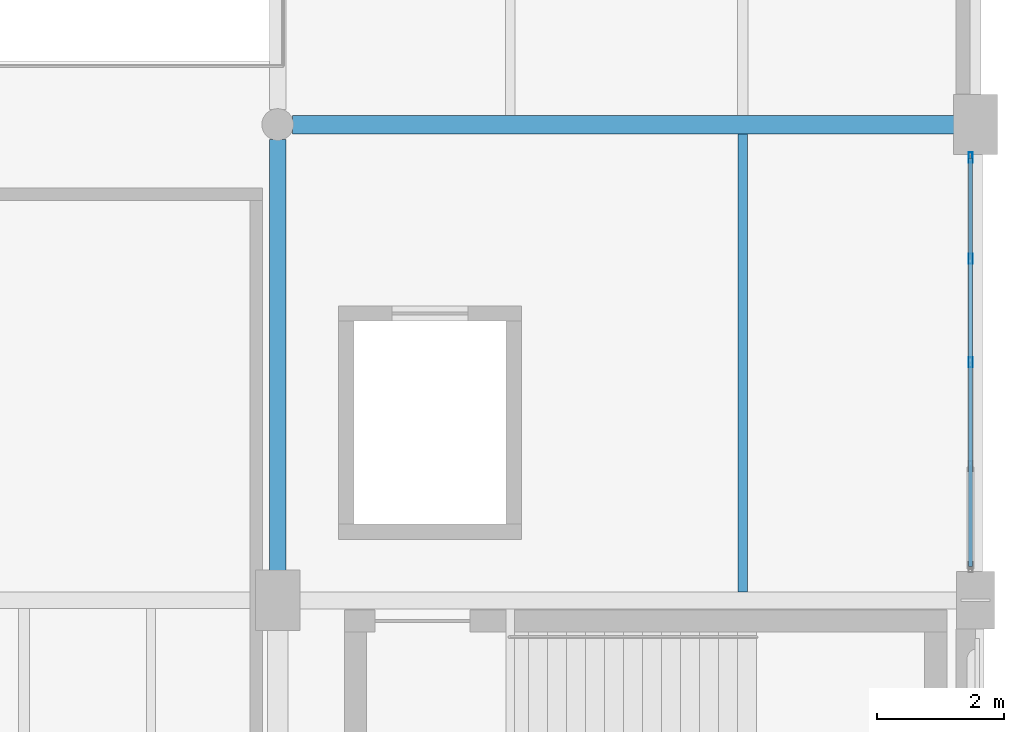
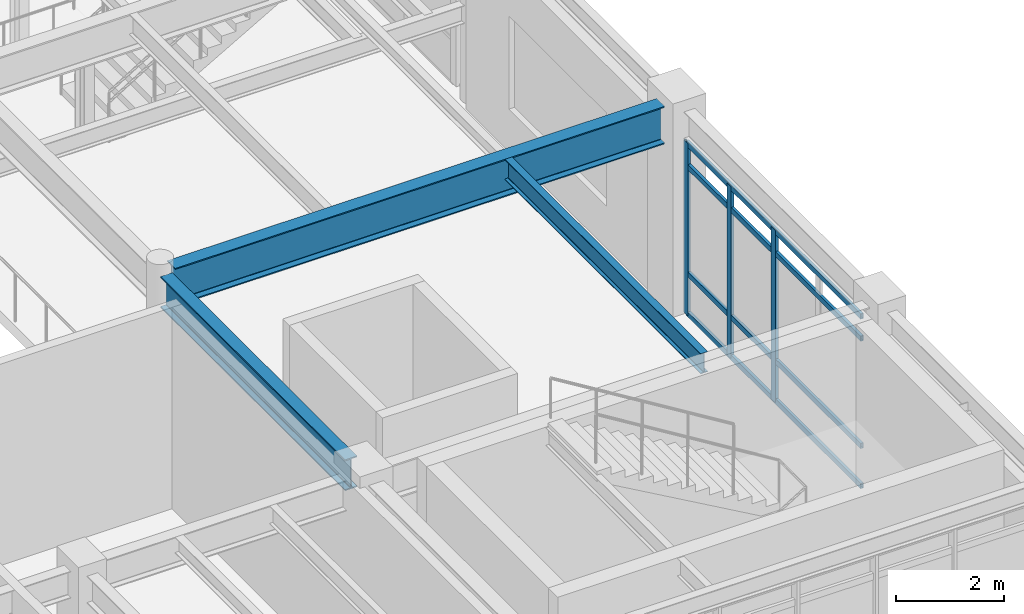
# One storey, part 118 of 200: 7 members, 3 beams, 1 element without a shape of its own.
"""IFC4 building model written with IfcOpenShell, lengths in metres."""

from ifc_helpers import new_model, si_unit, direction, frame, origin, origin_2d, place, context, subcontext, project, spatial, hollow_rectangle, i_section, extrude, material, material_profile, profile_set, type_object, element, aggregate, save


model = new_model("IFC4")

# Units and contexts
model_context = context("Model", 3, precision=1e-05, world=origin(), true_north=direction((0.0, 1.0)))
body_context = subcontext(model_context, "Body", "Model", "MODEL_VIEW")
ifc_project = project(units=[si_unit("LENGTHUNIT", "METRE"), si_unit("AREAUNIT", "SQUARE_METRE"), si_unit("VOLUMEUNIT", "CUBIC_METRE"), si_unit("PLANEANGLEUNIT", "RADIAN"), si_unit("MASSUNIT", "GRAM", prefix="KILO"), si_unit("THERMODYNAMICTEMPERATUREUNIT", "KELVIN"), si_unit("POWERUNIT", "WATT")], contexts=[model_context])

# Site, building, storey
site_placement = place(None, origin())
site = spatial("IfcSite", under=ifc_project, at=site_placement, CompositionType="ELEMENT")
building_placement = place(site_placement, origin())
building = spatial("IfcBuilding", under=site, at=building_placement, Name="Tepalcoro Natatorium and Aquatics Centre", CompositionType="ELEMENT")
storey_placement = place(building_placement, frame((0.0, 0.0, 5.39990234375)))
storey = spatial("IfcBuildingStorey", under=building, at=storey_placement, Name="L01", CompositionType="ELEMENT", Elevation=5.39990234375)

# Beams
ifc_material_1 = material(Name="Steel ASTM A992 Grade 50 (Fy 345 MPa)", Category="steel")
ifc_material_profile_1 = material_profile(ifc_material_1, i_section(OverallWidth=0.25390625, OverallDepth=0.700927734375, WebThickness=0.014892578125, FlangeThickness=0.028076171875, FilletRadius=0.013916015625, at=origin_2d()), Name="W27X129")
ifc_profile_set_1 = profile_set([ifc_material_profile_1], Name="Steel ASTM A992 Grade 50 (Fy 345 MPa)")
beam_type_1 = type_object("IfcBeamType", Name="BM_W27x129", PredefinedType="BEAM", material=ifc_profile_set_1)
beam_1_placement = place(storey_placement, frame((165.0, 13.4599609375, 4.194580078125), z_axis=(0.0, 1.0, 0.0), x_axis=(-1.0, 0.0, 0.0)))
element("IfcBeam", 1, at=beam_1_placement, inside=storey, type_object=beam_type_1, Name="V2 L01 Grid Girder Y", PredefinedType="BEAM", context=body_context, shape_type="SweptSolid", body=[
    extrude(i_section(OverallWidth=0.25390625, OverallDepth=0.700927734375, WebThickness=0.014892578125, FlangeThickness=0.028076171875, FilletRadius=0.013916015625, at=origin_2d()), origin(), (0.0, 0.0, 1.0), 6.804931640625),
])
ifc_material_profile_2 = material_profile(ifc_material_1, i_section(OverallWidth=0.2919921875, OverallDepth=0.845947265625, WebThickness=0.014892578125, FlangeThickness=0.02392578125, FilletRadius=0.013916015625, at=origin_2d()), Name="W33X141")
ifc_profile_set_2 = profile_set([ifc_material_profile_2], Name="Steel ASTM A992 Grade 50 (Fy 345 MPa)")
beam_type_2 = type_object("IfcBeamType", Name="BM_W33x141", PredefinedType="BEAM", material=ifc_profile_set_2)
beam_2_placement = place(storey_placement, frame((165.235107421875, 20.5, 4.1220703125), z_axis=(1.0, 0.0, 0.0), x_axis=(0.0, 1.0, 0.0)))
element("IfcBeam", 2, at=beam_2_placement, inside=storey, type_object=beam_type_2, Name="V2 L01 Grid Girder X", PredefinedType="BEAM", context=body_context, shape_type="SweptSolid", body=[
    extrude(i_section(OverallWidth=0.2919921875, OverallDepth=0.845947265625, WebThickness=0.014892578125, FlangeThickness=0.02392578125, FilletRadius=0.013916015625, at=origin_2d()), origin(), (0.0, 0.0, 1.0), 10.429931640625),
])

# Curtain wall, members
ifc_material_2 = material(Name="Bronze-Anodised Extruded Aluminium Alloy EN AW-6063 T6", Category="aluminium")
curtain_wall_type = type_object("IfcCurtainWallType", Name="CW_LEAN_T2_NS", PredefinedType="USERDEFINED", material=ifc_material_2)
curtain_wall_placement = place(storey_placement, origin())
curtain_wall = element("IfcCurtainWall", 3, at=curtain_wall_placement, inside=storey, type_object=curtain_wall_type, Name="V2 L01 E Unitised Curtain Wall Bay 2", ObjectType="FACETED SOLAR GLAZING", PredefinedType="USERDEFINED")
ifc_material_profile_3 = material_profile(ifc_material_2, hollow_rectangle(XDim=0.06005859375, YDim=0.159912109375, WallThickness=0.00390625, at=origin_2d()), Name="AL60X160X4")
ifc_profile_set_3 = profile_set([ifc_material_profile_3], Name="Bronze-Anodised Extruded Aluminium Alloy EN AW-6063 T6")
member_type_1 = type_object("IfcMemberType", Name="CW_MUL_60x160", PredefinedType="MULLION", material=ifc_profile_set_3)
member_1_placement = place(storey_placement, frame((175.923828125, 16.75, 0.02001953125), z_axis=(0.0, 0.0, 1.0), x_axis=(1.0, 0.0, 0.0)))
member_1 = element("IfcMember", 4, at=member_1_placement, type_object=member_type_1, Name="CW_LEAN_T2_NS Curtain Wall Mullion", PredefinedType="MULLION", context=body_context, shape_type="SweptSolid", body=[
    extrude(hollow_rectangle(XDim=0.06005859375, YDim=0.159912109375, WallThickness=0.00390625, at=origin_2d()), origin(), (0.0, 0.0, 1.0), 3.878173828125),
])
member_2_placement = place(storey_placement, frame((175.923828125, 18.385009765625, 0.02001953125), z_axis=(0.0, 0.0, 1.0), x_axis=(1.0, 0.0, 0.0)))
member_2 = element("IfcMember", 5, at=member_2_placement, type_object=member_type_1, Name="CW_LEAN_T2_NS Curtain Wall Mullion", PredefinedType="MULLION", context=body_context, shape_type="SweptSolid", body=[
    extrude(hollow_rectangle(XDim=0.06005859375, YDim=0.159912109375, WallThickness=0.00390625, at=origin_2d()), origin(), (0.0, 0.0, 1.0), 3.878173828125),
])
member_3_placement = place(storey_placement, frame((175.923828125, 19.97998046875, 0.02001953125), z_axis=(0.0, 0.0, 1.0), x_axis=(1.0, 0.0, 0.0)))
member_3 = element("IfcMember", 6, at=member_3_placement, type_object=member_type_1, Name="CW_LEAN_T2_NS Curtain Wall Mullion", PredefinedType="MULLION", context=body_context, shape_type="SweptSolid", body=[
    extrude(hollow_rectangle(XDim=0.06005859375, YDim=0.159912109375, WallThickness=0.00390625, at=origin_2d()), origin(), (0.0, 0.0, 1.0), 3.878173828125),
])
ifc_material_profile_4 = material_profile(ifc_material_2, hollow_rectangle(XDim=0.06005859375, YDim=0.1201171875, WallThickness=0.00390625, at=origin_2d()), Name="AL60X120X4")
ifc_profile_set_4 = profile_set([ifc_material_profile_4], Name="Bronze-Anodised Extruded Aluminium Alloy EN AW-6063 T6")
member_type_2 = type_object("IfcMemberType", Name="CW_TRN_60x120", PredefinedType="USERDEFINED", material=ifc_profile_set_4)
member_4_placement = place(storey_placement, frame((175.923828125, 13.530029296875, 0.050048828125), z_axis=(0.0, 1.0, 0.0), x_axis=(-1.0, 0.0, 0.0)))
member_4 = element("IfcMember", 7, at=member_4_placement, type_object=member_type_2, Name="CW_LEAN_T2_NS Curtain Wall Transom", ObjectType="TRANSOM", PredefinedType="USERDEFINED", context=body_context, shape_type="SweptSolid", body=[
    extrude(hollow_rectangle(XDim=0.06005859375, YDim=0.1201171875, WallThickness=0.00390625, at=origin_2d()), origin(), (0.0, 0.0, 1.0), 6.43994140625),
])
member_5_placement = place(storey_placement, frame((175.923828125, 13.530029296875, 0.9501953125), z_axis=(0.0, 1.0, 0.0), x_axis=(-1.0, 0.0, 0.0)))
member_5 = element("IfcMember", 8, at=member_5_placement, type_object=member_type_2, Name="CW_LEAN_T2_NS Curtain Wall Transom", ObjectType="TRANSOM", PredefinedType="USERDEFINED", context=body_context, shape_type="SweptSolid", body=[
    extrude(hollow_rectangle(XDim=0.06005859375, YDim=0.1201171875, WallThickness=0.00390625, at=origin_2d()), origin(), (0.0, 0.0, 1.0), 6.43994140625),
])
member_6_placement = place(storey_placement, frame((175.923828125, 13.530029296875, 3.3681640625), z_axis=(0.0, 1.0, 0.0), x_axis=(-1.0, 0.0, 0.0)))
member_6 = element("IfcMember", 9, at=member_6_placement, type_object=member_type_2, Name="CW_LEAN_T2_NS Curtain Wall Transom", ObjectType="TRANSOM", PredefinedType="USERDEFINED", context=body_context, shape_type="SweptSolid", body=[
    extrude(hollow_rectangle(XDim=0.06005859375, YDim=0.1201171875, WallThickness=0.00390625, at=origin_2d()), origin(), (0.0, 0.0, 1.0), 6.43994140625),
])
member_7_placement = place(storey_placement, frame((175.923828125, 13.530029296875, 3.8681640625), z_axis=(0.0, 1.0, 0.0), x_axis=(-1.0, 0.0, 0.0)))
member_7 = element("IfcMember", 10, at=member_7_placement, type_object=member_type_2, Name="CW_LEAN_T2_NS Curtain Wall Transom", ObjectType="TRANSOM", PredefinedType="USERDEFINED", context=body_context, shape_type="SweptSolid", body=[
    extrude(hollow_rectangle(XDim=0.06005859375, YDim=0.1201171875, WallThickness=0.00390625, at=origin_2d()), origin(), (0.0, 0.0, 1.0), 6.43994140625),
])
aggregate(curtain_wall, [member_1, member_2, member_3, member_4, member_5, member_6, member_7])

# Beam
ifc_material_profile_5 = material_profile(ifc_material_1, i_section(OverallWidth=0.153076171875, OverallDepth=0.455078125, WebThickness=0.008056640625, FlangeThickness=0.012939453125, FilletRadius=0.013916015625, at=origin_2d()), Name="W18X40")
ifc_profile_set_5 = profile_set([ifc_material_profile_5], Name="Steel ASTM A992 Grade 50 (Fy 345 MPa)")
beam_type_3 = type_object("IfcBeamType", Name="JS_W18x40", PredefinedType="JOIST", material=ifc_profile_set_5)
beam_3_placement = place(storey_placement, frame((172.333251953125, 13.133544921875, 4.317626953125), z_axis=(0.0, 1.0, 0.0), x_axis=(-1.0, 0.0, 0.0)))
element("IfcBeam", 11, at=beam_3_placement, inside=storey, type_object=beam_type_3, Name="V2 L01 Floor Joist", PredefinedType="JOIST", context=body_context, shape_type="SweptSolid", body=[
    extrude(i_section(OverallWidth=0.153076171875, OverallDepth=0.455078125, WebThickness=0.008056640625, FlangeThickness=0.012939453125, FilletRadius=0.013916015625, at=origin_2d()), origin(), (0.0, 0.0, 1.0), 7.220458984375),
])

save(model, "model.ifc")
